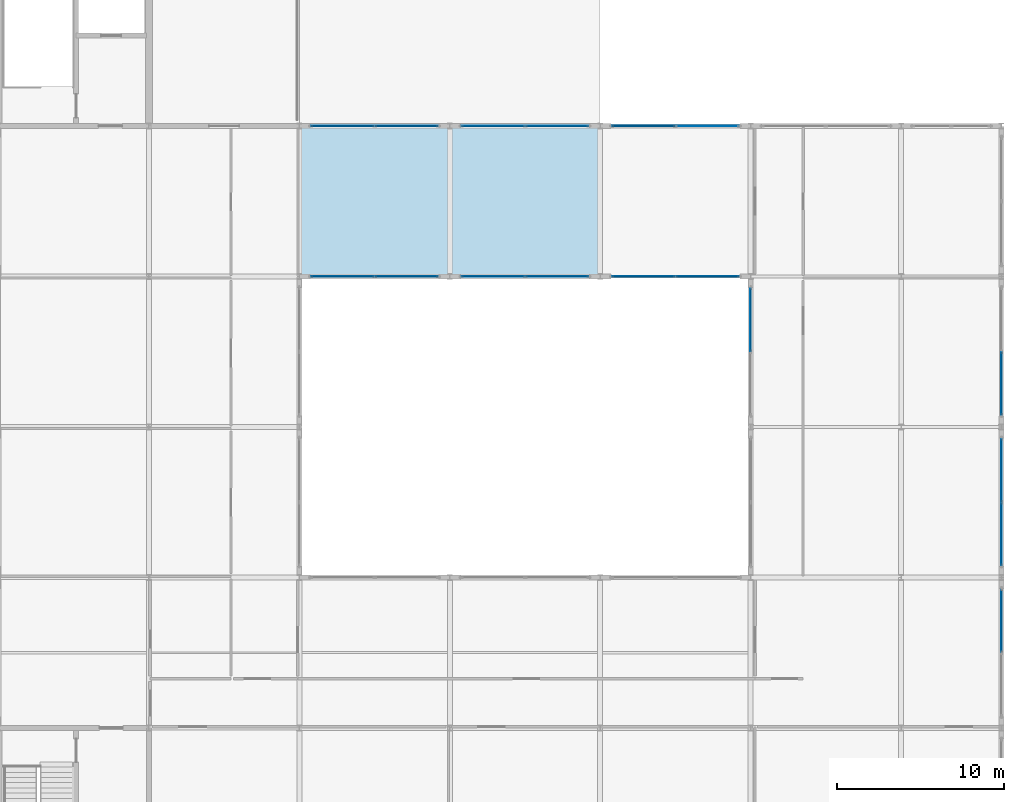
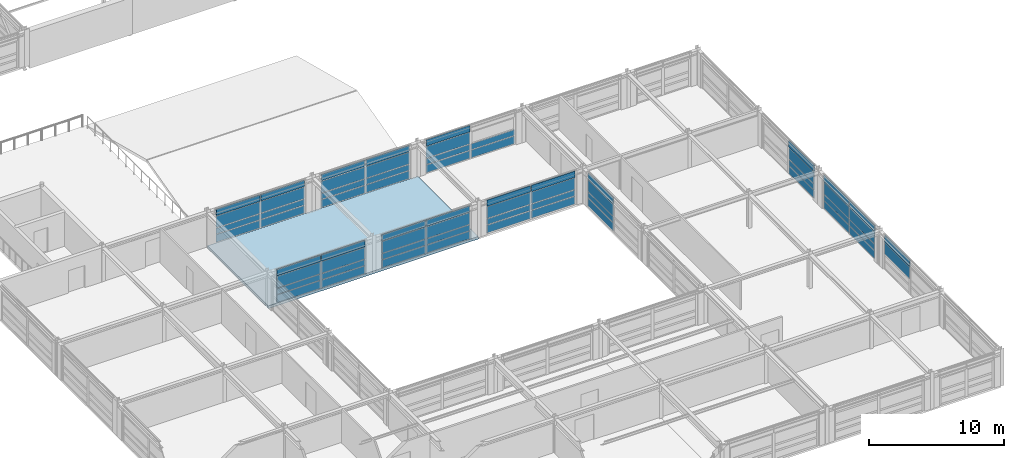
# One storey, part 68 of 91: 64 plates, 1 slab, 10 elements without a shape of their own.
"""IFC4 building model written with IfcOpenShell, lengths in metres."""

from ifc_helpers import new_model, si_unit, direction, frame, origin, origin_2d, place, context, subcontext, project, spatial, polyline, rectangle, outline, extrude, material, layer, layer_set, type_object, element, aggregate, save


model = new_model("IFC4")

# Units and contexts
model_context = context("Model", 3, precision=1e-05, world=origin(), true_north=direction((0.0, 1.0)))
body_context = subcontext(model_context, "Body", "Model", "MODEL_VIEW")
ifc_project = project(units=[si_unit("LENGTHUNIT", "METRE"), si_unit("AREAUNIT", "SQUARE_METRE"), si_unit("VOLUMEUNIT", "CUBIC_METRE"), si_unit("PLANEANGLEUNIT", "RADIAN"), si_unit("MASSUNIT", "GRAM", prefix="KILO")], contexts=[model_context])

# Site, building, storey
site_placement = place(None, origin())
site = spatial("IfcSite", under=ifc_project, at=site_placement, CompositionType="ELEMENT")
building_placement = place(site_placement, origin())
building = spatial("IfcBuilding", under=site, at=building_placement, Name="Palais des Congres Ocreval", CompositionType="ELEMENT")
storey_placement = place(building_placement, frame((0.0, 0.0, 8.159912109375)))
storey = spatial("IfcBuildingStorey", under=building, at=storey_placement, Name="L02", CompositionType="ELEMENT", Elevation=8.159912109375)

# Curtain wall, plates
ifc_material_1 = material(Name="Anodized bronze aluminium and low-E glass", Category="glass")
curtain_wall_type = type_object("IfcCurtainWallType", Name="Unitised Curtain Wall 7900x3120", PredefinedType="USERDEFINED", material=ifc_material_1)
curtain_wall_1_placement = place(storey_placement, origin())
curtain_wall_1 = element("IfcCurtainWall", 1, at=curtain_wall_1_placement, inside=storey, type_object=curtain_wall_type, Name="Unitised Curtain Wall CW03 L02", ObjectType="UNITISED CURTAIN WALL", PredefinedType="USERDEFINED")
ifc_material_2 = material(Name="Acoustic triple glazing", Category="glass")
ifc_layer_1 = layer(ifc_material_2, 0.0439453125)
ifc_layer_set_1 = layer_set([ifc_layer_1], Name="Acoustic Laminated Glazing Panel 44 (Acoustic triple glazing)")
plate_type_1 = type_object("IfcPlateType", Name="Acoustic Laminated Glazing Panel 44", PredefinedType="CURTAIN_PANEL", material=ifc_layer_set_1)
plate_1_placement = place(storey_placement, frame((137.59375, 45.0, 0.06005859375), z_axis=(0.0, 0.0, 1.0), x_axis=(1.0, 0.0, 0.0)))
plate_1 = element("IfcPlate", 2, at=plate_1_placement, type_object=plate_type_1, Name="Vision Glazing Panel VP02", PredefinedType="CURTAIN_PANEL", context=body_context, shape_type="SweptSolid", body=[
    extrude(rectangle(XDim=3.737548828125, YDim=0.0439453125, at=origin_2d()), origin(), (0.0, 0.0, 1.0), 0.68994140625),
])
plate_2_placement = place(storey_placement, frame((137.59375, 45.0, 0.81005859375), z_axis=(0.0, 0.0, 1.0), x_axis=(1.0, 0.0, 0.0)))
plate_2 = element("IfcPlate", 3, at=plate_2_placement, type_object=plate_type_1, Name="Vision Glazing Panel VP02", PredefinedType="CURTAIN_PANEL", context=body_context, shape_type="SweptSolid", body=[
    extrude(rectangle(XDim=3.737548828125, YDim=0.0439453125, at=origin_2d()), origin(), (0.0, 0.0, 1.0), 0.512939453125),
])
plate_3_placement = place(storey_placement, frame((137.59375, 45.0, 1.3828125), z_axis=(0.0, 0.0, 1.0), x_axis=(1.0, 0.0, 0.0)))
plate_3 = element("IfcPlate", 4, at=plate_3_placement, type_object=plate_type_1, Name="Vision Glazing Panel VP02", PredefinedType="CURTAIN_PANEL", context=body_context, shape_type="SweptSolid", body=[
    extrude(rectangle(XDim=3.737548828125, YDim=0.0439453125, at=origin_2d()), origin(), (0.0, 0.0, 1.0), 1.047119140625),
])
plate_4_placement = place(storey_placement, frame((141.40625, 45.0, 0.06005859375), z_axis=(0.0, 0.0, 1.0), x_axis=(1.0, 0.0, 0.0)))
plate_4 = element("IfcPlate", 5, at=plate_4_placement, type_object=plate_type_1, Name="Vision Glazing Panel VP02", PredefinedType="CURTAIN_PANEL", context=body_context, shape_type="SweptSolid", body=[
    extrude(rectangle(XDim=3.737548828125, YDim=0.0439453125, at=origin_2d()), origin(), (0.0, 0.0, 1.0), 0.68994140625),
])
plate_5_placement = place(storey_placement, frame((141.40625, 45.0, 0.81005859375), z_axis=(0.0, 0.0, 1.0), x_axis=(1.0, 0.0, 0.0)))
plate_5 = element("IfcPlate", 6, at=plate_5_placement, type_object=plate_type_1, Name="Vision Glazing Panel VP02", PredefinedType="CURTAIN_PANEL", context=body_context, shape_type="SweptSolid", body=[
    extrude(rectangle(XDim=3.737548828125, YDim=0.0439453125, at=origin_2d()), origin(), (0.0, 0.0, 1.0), 0.512939453125),
])
plate_6_placement = place(storey_placement, frame((141.40625, 45.0, 1.3828125), z_axis=(0.0, 0.0, 1.0), x_axis=(1.0, 0.0, 0.0)))
plate_6 = element("IfcPlate", 7, at=plate_6_placement, type_object=plate_type_1, Name="Vision Glazing Panel VP02", PredefinedType="CURTAIN_PANEL", context=body_context, shape_type="SweptSolid", body=[
    extrude(rectangle(XDim=3.737548828125, YDim=0.0439453125, at=origin_2d()), origin(), (0.0, 0.0, 1.0), 1.047119140625),
])

curtain_wall_2_placement = place(storey_placement, origin())
curtain_wall_2 = element("IfcCurtainWall", 8, at=curtain_wall_2_placement, inside=storey, type_object=curtain_wall_type, Name="Unitised Curtain Wall CW03 L02", ObjectType="UNITISED CURTAIN WALL", PredefinedType="USERDEFINED")
plate_7_placement = place(storey_placement, frame((168.0, 24.40625, 0.06005859375), z_axis=(0.0, 0.0, 1.0), x_axis=(0.0, -1.0, 0.0)))
plate_7 = element("IfcPlate", 9, at=plate_7_placement, type_object=plate_type_1, Name="Vision Glazing Panel VP02", PredefinedType="CURTAIN_PANEL", context=body_context, shape_type="SweptSolid", body=[
    extrude(rectangle(XDim=3.737548828125, YDim=0.0439453125, at=origin_2d()), origin(), (0.0, 0.0, 1.0), 0.68994140625),
])
plate_8_placement = place(storey_placement, frame((168.0, 24.40625, 0.81005859375), z_axis=(0.0, 0.0, 1.0), x_axis=(0.0, -1.0, 0.0)))
plate_8 = element("IfcPlate", 10, at=plate_8_placement, type_object=plate_type_1, Name="Vision Glazing Panel VP02", PredefinedType="CURTAIN_PANEL", context=body_context, shape_type="SweptSolid", body=[
    extrude(rectangle(XDim=3.737548828125, YDim=0.0439453125, at=origin_2d()), origin(), (0.0, 0.0, 1.0), 0.512939453125),
])
plate_9_placement = place(storey_placement, frame((168.0, 24.40625, 1.3828125), z_axis=(0.0, 0.0, 1.0), x_axis=(0.0, -1.0, 0.0)))
plate_9 = element("IfcPlate", 11, at=plate_9_placement, type_object=plate_type_1, Name="Vision Glazing Panel VP02", PredefinedType="CURTAIN_PANEL", context=body_context, shape_type="SweptSolid", body=[
    extrude(rectangle(XDim=3.737548828125, YDim=0.0439453125, at=origin_2d()), origin(), (0.0, 0.0, 1.0), 1.047119140625),
])
plate_10_placement = place(storey_placement, frame((168.0, 20.59375, 0.06005859375), z_axis=(0.0, 0.0, 1.0), x_axis=(0.0, -1.0, 0.0)))
plate_10 = element("IfcPlate", 12, at=plate_10_placement, type_object=plate_type_1, Name="Vision Glazing Panel VP02", PredefinedType="CURTAIN_PANEL", context=body_context, shape_type="SweptSolid", body=[
    extrude(rectangle(XDim=3.737548828125, YDim=0.0439453125, at=origin_2d()), origin(), (0.0, 0.0, 1.0), 0.68994140625),
])
plate_11_placement = place(storey_placement, frame((168.0, 20.59375, 0.81005859375), z_axis=(0.0, 0.0, 1.0), x_axis=(0.0, -1.0, 0.0)))
plate_11 = element("IfcPlate", 13, at=plate_11_placement, type_object=plate_type_1, Name="Vision Glazing Panel VP02", PredefinedType="CURTAIN_PANEL", context=body_context, shape_type="SweptSolid", body=[
    extrude(rectangle(XDim=3.737548828125, YDim=0.0439453125, at=origin_2d()), origin(), (0.0, 0.0, 1.0), 0.512939453125),
])
plate_12_placement = place(storey_placement, frame((168.0, 20.59375, 1.3828125), z_axis=(0.0, 0.0, 1.0), x_axis=(0.0, -1.0, 0.0)))
plate_12 = element("IfcPlate", 14, at=plate_12_placement, type_object=plate_type_1, Name="Vision Glazing Panel VP02", PredefinedType="CURTAIN_PANEL", context=body_context, shape_type="SweptSolid", body=[
    extrude(rectangle(XDim=3.737548828125, YDim=0.0439453125, at=origin_2d()), origin(), (0.0, 0.0, 1.0), 1.047119140625),
])

curtain_wall_3_placement = place(storey_placement, origin())
curtain_wall_3 = element("IfcCurtainWall", 15, at=curtain_wall_3_placement, inside=storey, type_object=curtain_wall_type, Name="Unitised Curtain Wall CW03 L02", ObjectType="UNITISED CURTAIN WALL", PredefinedType="USERDEFINED")
plate_13_placement = place(storey_placement, frame((132.40625, 36.0, 0.06005859375), z_axis=(0.0, 0.0, 1.0), x_axis=(-1.0, 0.0, 0.0)))
plate_13 = element("IfcPlate", 16, at=plate_13_placement, type_object=plate_type_1, Name="Vision Glazing Panel VP02", PredefinedType="CURTAIN_PANEL", context=body_context, shape_type="SweptSolid", body=[
    extrude(rectangle(XDim=3.737548828125, YDim=0.0439453125, at=origin_2d()), origin(), (0.0, 0.0, 1.0), 0.68994140625),
])
plate_14_placement = place(storey_placement, frame((132.40625, 36.0, 0.81005859375), z_axis=(0.0, 0.0, 1.0), x_axis=(-1.0, 0.0, 0.0)))
plate_14 = element("IfcPlate", 17, at=plate_14_placement, type_object=plate_type_1, Name="Vision Glazing Panel VP02", PredefinedType="CURTAIN_PANEL", context=body_context, shape_type="SweptSolid", body=[
    extrude(rectangle(XDim=3.737548828125, YDim=0.0439453125, at=origin_2d()), origin(), (0.0, 0.0, 1.0), 0.512939453125),
])
plate_15_placement = place(storey_placement, frame((132.40625, 36.0, 1.3828125), z_axis=(0.0, 0.0, 1.0), x_axis=(-1.0, 0.0, 0.0)))
plate_15 = element("IfcPlate", 18, at=plate_15_placement, type_object=plate_type_1, Name="Vision Glazing Panel VP02", PredefinedType="CURTAIN_PANEL", context=body_context, shape_type="SweptSolid", body=[
    extrude(rectangle(XDim=3.737548828125, YDim=0.0439453125, at=origin_2d()), origin(), (0.0, 0.0, 1.0), 1.047119140625),
])
plate_16_placement = place(storey_placement, frame((128.59375, 36.0, 0.06005859375), z_axis=(0.0, 0.0, 1.0), x_axis=(-1.0, 0.0, 0.0)))
plate_16 = element("IfcPlate", 19, at=plate_16_placement, type_object=plate_type_1, Name="Vision Glazing Panel VP02", PredefinedType="CURTAIN_PANEL", context=body_context, shape_type="SweptSolid", body=[
    extrude(rectangle(XDim=3.737548828125, YDim=0.0439453125, at=origin_2d()), origin(), (0.0, 0.0, 1.0), 0.68994140625),
])
plate_17_placement = place(storey_placement, frame((128.59375, 36.0, 0.81005859375), z_axis=(0.0, 0.0, 1.0), x_axis=(-1.0, 0.0, 0.0)))
plate_17 = element("IfcPlate", 20, at=plate_17_placement, type_object=plate_type_1, Name="Vision Glazing Panel VP02", PredefinedType="CURTAIN_PANEL", context=body_context, shape_type="SweptSolid", body=[
    extrude(rectangle(XDim=3.737548828125, YDim=0.0439453125, at=origin_2d()), origin(), (0.0, 0.0, 1.0), 0.512939453125),
])
plate_18_placement = place(storey_placement, frame((128.59375, 36.0, 1.3828125), z_axis=(0.0, 0.0, 1.0), x_axis=(-1.0, 0.0, 0.0)))
plate_18 = element("IfcPlate", 21, at=plate_18_placement, type_object=plate_type_1, Name="Vision Glazing Panel VP02", PredefinedType="CURTAIN_PANEL", context=body_context, shape_type="SweptSolid", body=[
    extrude(rectangle(XDim=3.737548828125, YDim=0.0439453125, at=origin_2d()), origin(), (0.0, 0.0, 1.0), 1.047119140625),
])

# Plate
ifc_material_3 = material(Name="Anodized bronze aluminium", Category="aluminium")
ifc_layer_2 = layer(ifc_material_3, 0.06005859375)
ifc_layer_set_2 = layer_set([ifc_layer_2], Name="Anodized Bronze Spandrel Cassette 60 (Anodized bronze aluminium)")
plate_type_2 = type_object("IfcPlateType", Name="Anodized Bronze Spandrel Cassette 60", PredefinedType="SHEET", material=ifc_layer_set_2)
plate_19_placement = place(storey_placement, frame((137.59375, 45.0, 2.489990234375), z_axis=(0.0, 0.0, 1.0), x_axis=(1.0, 0.0, 0.0)))
plate_19 = element("IfcPlate", 22, at=plate_19_placement, type_object=plate_type_2, Name="Spandrel Sheet SPN1", PredefinedType="SHEET", context=body_context, shape_type="SweptSolid", body=[
    extrude(rectangle(XDim=3.737548828125, YDim=0.06005859375, at=origin_2d()), origin(), (0.0, 0.0, 1.0), 0.56005859375),
])

plate_20_placement = place(storey_placement, frame((141.40625, 45.0, 2.489990234375), z_axis=(0.0, 0.0, 1.0), x_axis=(1.0, 0.0, 0.0)))
plate_20 = element("IfcPlate", 23, at=plate_20_placement, type_object=plate_type_2, Name="Spandrel Sheet SPN1", PredefinedType="SHEET", context=body_context, shape_type="SweptSolid", body=[
    extrude(rectangle(XDim=3.737548828125, YDim=0.06005859375, at=origin_2d()), origin(), (0.0, 0.0, 1.0), 0.56005859375),
])

aggregate(curtain_wall_1, [plate_1, plate_2, plate_3, plate_19, plate_4, plate_5, plate_6, plate_20])

plate_21_placement = place(storey_placement, frame((168.0, 24.40625, 2.489990234375), z_axis=(0.0, 0.0, 1.0), x_axis=(0.0, -1.0, 0.0)))
plate_21 = element("IfcPlate", 24, at=plate_21_placement, type_object=plate_type_2, Name="Spandrel Sheet SPN1", PredefinedType="SHEET", context=body_context, shape_type="SweptSolid", body=[
    extrude(rectangle(XDim=3.737548828125, YDim=0.06005859375, at=origin_2d()), origin(), (0.0, 0.0, 1.0), 0.56005859375),
])

plate_22_placement = place(storey_placement, frame((168.0, 20.59375, 2.489990234375), z_axis=(0.0, 0.0, 1.0), x_axis=(0.0, -1.0, 0.0)))
plate_22 = element("IfcPlate", 25, at=plate_22_placement, type_object=plate_type_2, Name="Spandrel Sheet SPN1", PredefinedType="SHEET", context=body_context, shape_type="SweptSolid", body=[
    extrude(rectangle(XDim=3.737548828125, YDim=0.06005859375, at=origin_2d()), origin(), (0.0, 0.0, 1.0), 0.56005859375),
])

aggregate(curtain_wall_2, [plate_7, plate_8, plate_9, plate_21, plate_10, plate_11, plate_12, plate_22])

# Curtain wall, plates
curtain_wall_4_placement = place(storey_placement, origin())
curtain_wall_4 = element("IfcCurtainWall", 26, at=curtain_wall_4_placement, inside=storey, type_object=curtain_wall_type, Name="Unitised Curtain Wall CW03 L02", ObjectType="UNITISED CURTAIN WALL", PredefinedType="USERDEFINED")
plate_23_placement = place(storey_placement, frame((141.40625, 36.0, 2.489990234375), z_axis=(0.0, 0.0, 1.0), x_axis=(-1.0, 0.0, 0.0)))
plate_23 = element("IfcPlate", 27, at=plate_23_placement, type_object=plate_type_2, Name="Spandrel Sheet SPN1", PredefinedType="SHEET", context=body_context, shape_type="SweptSolid", body=[
    extrude(rectangle(XDim=3.737548828125, YDim=0.06005859375, at=origin_2d()), origin(), (0.0, 0.0, 1.0), 0.56005859375),
])
plate_24_placement = place(storey_placement, frame((137.59375, 36.0, 2.489990234375), z_axis=(0.0, 0.0, 1.0), x_axis=(-1.0, 0.0, 0.0)))
plate_24 = element("IfcPlate", 28, at=plate_24_placement, type_object=plate_type_2, Name="Spandrel Sheet SPN1", PredefinedType="SHEET", context=body_context, shape_type="SweptSolid", body=[
    extrude(rectangle(XDim=3.737548828125, YDim=0.06005859375, at=origin_2d()), origin(), (0.0, 0.0, 1.0), 0.56005859375),
])

# Curtain wall, plate
curtain_wall_5_placement = place(storey_placement, origin())
curtain_wall_5 = element("IfcCurtainWall", 29, at=curtain_wall_5_placement, inside=storey, type_object=curtain_wall_type, Name="Unitised Curtain Wall CW03 L02", ObjectType="UNITISED CURTAIN WALL", PredefinedType="USERDEFINED")
plate_25_placement = place(storey_placement, frame((153.0, 33.40625, 2.489990234375), z_axis=(0.0, 0.0, 1.0), x_axis=(0.0, 1.0, 0.0)))
plate_25 = element("IfcPlate", 30, at=plate_25_placement, type_object=plate_type_2, Name="Spandrel Sheet SPN1", PredefinedType="SHEET", context=body_context, shape_type="SweptSolid", body=[
    extrude(rectangle(XDim=3.737548828125, YDim=0.06005859375, at=origin_2d()), origin(), (0.0, 0.0, 1.0), 0.56005859375),
])

# Curtain wall, plates
curtain_wall_6_placement = place(storey_placement, origin())
curtain_wall_6 = element("IfcCurtainWall", 31, at=curtain_wall_6_placement, inside=storey, type_object=curtain_wall_type, Name="Unitised Curtain Wall CW03 L02", ObjectType="UNITISED CURTAIN WALL", PredefinedType="USERDEFINED")
ifc_material_4 = material(Name="Low-E solar-control double glazing", Category="glass")
ifc_layer_3 = layer(ifc_material_4, 0.031982421875)
ifc_layer_set_3 = layer_set([ifc_layer_3], Name="Galleria Clear Vision Panel 32 (Low-E solar-control double glazing)")
plate_type_3 = type_object("IfcPlateType", Name="Galleria Clear Vision Panel 32", PredefinedType="CURTAIN_PANEL", material=ifc_layer_set_3)
plate_26_placement = place(storey_placement, frame((146.59375, 45.0, 0.06005859375), z_axis=(0.0, 0.0, 1.0), x_axis=(1.0, 0.0, 0.0)))
plate_26 = element("IfcPlate", 32, at=plate_26_placement, type_object=plate_type_3, Name="Vision Glazing Panel VP03", PredefinedType="CURTAIN_PANEL", context=body_context, shape_type="SweptSolid", body=[
    extrude(rectangle(XDim=3.737548828125, YDim=0.031982421875, at=origin_2d()), origin(), (0.0, 0.0, 1.0), 0.68994140625),
])
plate_27_placement = place(storey_placement, frame((146.59375, 45.0, 0.81005859375), z_axis=(0.0, 0.0, 1.0), x_axis=(1.0, 0.0, 0.0)))
plate_27 = element("IfcPlate", 33, at=plate_27_placement, type_object=plate_type_3, Name="Vision Glazing Panel VP03", PredefinedType="CURTAIN_PANEL", context=body_context, shape_type="SweptSolid", body=[
    extrude(rectangle(XDim=3.737548828125, YDim=0.031982421875, at=origin_2d()), origin(), (0.0, 0.0, 1.0), 0.512939453125),
])
plate_28_placement = place(storey_placement, frame((146.59375, 45.0, 1.3828125), z_axis=(0.0, 0.0, 1.0), x_axis=(1.0, 0.0, 0.0)))
plate_28 = element("IfcPlate", 34, at=plate_28_placement, type_object=plate_type_3, Name="Vision Glazing Panel VP03", PredefinedType="CURTAIN_PANEL", context=body_context, shape_type="SweptSolid", body=[
    extrude(rectangle(XDim=3.737548828125, YDim=0.031982421875, at=origin_2d()), origin(), (0.0, 0.0, 1.0), 1.047119140625),
])
plate_29_placement = place(storey_placement, frame((150.40625, 45.0, 0.06005859375), z_axis=(0.0, 0.0, 1.0), x_axis=(1.0, 0.0, 0.0)))
plate_29 = element("IfcPlate", 35, at=plate_29_placement, type_object=plate_type_3, Name="Vision Glazing Panel VP03", PredefinedType="CURTAIN_PANEL", context=body_context, shape_type="SweptSolid", body=[
    extrude(rectangle(XDim=3.737548828125, YDim=0.031982421875, at=origin_2d()), origin(), (0.0, 0.0, 1.0), 0.68994140625),
])
plate_30_placement = place(storey_placement, frame((150.40625, 45.0, 0.81005859375), z_axis=(0.0, 0.0, 1.0), x_axis=(1.0, 0.0, 0.0)))
plate_30 = element("IfcPlate", 36, at=plate_30_placement, type_object=plate_type_3, Name="Vision Glazing Panel VP03", PredefinedType="CURTAIN_PANEL", context=body_context, shape_type="SweptSolid", body=[
    extrude(rectangle(XDim=3.737548828125, YDim=0.031982421875, at=origin_2d()), origin(), (0.0, 0.0, 1.0), 0.512939453125),
])

# Curtain wall, plate
curtain_wall_7_placement = place(storey_placement, origin())
curtain_wall_7 = element("IfcCurtainWall", 37, at=curtain_wall_7_placement, inside=storey, type_object=curtain_wall_type, Name="Unitised Curtain Wall CW03 L02", ObjectType="UNITISED CURTAIN WALL", PredefinedType="USERDEFINED")
plate_31_placement = place(storey_placement, frame((168.0, 15.40625, 1.3828125), z_axis=(0.0, 0.0, 1.0), x_axis=(0.0, -1.0, 0.0)))
plate_31 = element("IfcPlate", 38, at=plate_31_placement, type_object=plate_type_3, Name="Vision Glazing Panel VP03", PredefinedType="CURTAIN_PANEL", context=body_context, shape_type="SweptSolid", body=[
    extrude(rectangle(XDim=3.737548828125, YDim=0.031982421875, at=origin_2d()), origin(), (0.0, 0.0, 1.0), 1.047119140625),
])

# Curtain wall, plates
curtain_wall_8_placement = place(storey_placement, origin())
curtain_wall_8 = element("IfcCurtainWall", 39, at=curtain_wall_8_placement, inside=storey, type_object=curtain_wall_type, Name="Unitised Curtain Wall CW03 L02", ObjectType="UNITISED CURTAIN WALL", PredefinedType="USERDEFINED")
plate_32_placement = place(storey_placement, frame((150.40625, 36.0, 0.06005859375), z_axis=(0.0, 0.0, 1.0), x_axis=(-1.0, 0.0, 0.0)))
plate_32 = element("IfcPlate", 40, at=plate_32_placement, type_object=plate_type_3, Name="Vision Glazing Panel VP03", PredefinedType="CURTAIN_PANEL", context=body_context, shape_type="SweptSolid", body=[
    extrude(rectangle(XDim=3.737548828125, YDim=0.031982421875, at=origin_2d()), origin(), (0.0, 0.0, 1.0), 0.68994140625),
])
plate_33_placement = place(storey_placement, frame((150.40625, 36.0, 0.81005859375), z_axis=(0.0, 0.0, 1.0), x_axis=(-1.0, 0.0, 0.0)))
plate_33 = element("IfcPlate", 41, at=plate_33_placement, type_object=plate_type_3, Name="Vision Glazing Panel VP03", PredefinedType="CURTAIN_PANEL", context=body_context, shape_type="SweptSolid", body=[
    extrude(rectangle(XDim=3.737548828125, YDim=0.031982421875, at=origin_2d()), origin(), (0.0, 0.0, 1.0), 0.512939453125),
])
plate_34_placement = place(storey_placement, frame((150.40625, 36.0, 1.3828125), z_axis=(0.0, 0.0, 1.0), x_axis=(-1.0, 0.0, 0.0)))
plate_34 = element("IfcPlate", 42, at=plate_34_placement, type_object=plate_type_3, Name="Vision Glazing Panel VP03", PredefinedType="CURTAIN_PANEL", context=body_context, shape_type="SweptSolid", body=[
    extrude(rectangle(XDim=3.737548828125, YDim=0.031982421875, at=origin_2d()), origin(), (0.0, 0.0, 1.0), 1.047119140625),
])
plate_35_placement = place(storey_placement, frame((146.59375, 36.0, 0.06005859375), z_axis=(0.0, 0.0, 1.0), x_axis=(-1.0, 0.0, 0.0)))
plate_35 = element("IfcPlate", 43, at=plate_35_placement, type_object=plate_type_3, Name="Vision Glazing Panel VP03", PredefinedType="CURTAIN_PANEL", context=body_context, shape_type="SweptSolid", body=[
    extrude(rectangle(XDim=3.737548828125, YDim=0.031982421875, at=origin_2d()), origin(), (0.0, 0.0, 1.0), 0.68994140625),
])
plate_36_placement = place(storey_placement, frame((146.59375, 36.0, 0.81005859375), z_axis=(0.0, 0.0, 1.0), x_axis=(-1.0, 0.0, 0.0)))
plate_36 = element("IfcPlate", 44, at=plate_36_placement, type_object=plate_type_3, Name="Vision Glazing Panel VP03", PredefinedType="CURTAIN_PANEL", context=body_context, shape_type="SweptSolid", body=[
    extrude(rectangle(XDim=3.737548828125, YDim=0.031982421875, at=origin_2d()), origin(), (0.0, 0.0, 1.0), 0.512939453125),
])
plate_37_placement = place(storey_placement, frame((146.59375, 36.0, 1.3828125), z_axis=(0.0, 0.0, 1.0), x_axis=(-1.0, 0.0, 0.0)))
plate_37 = element("IfcPlate", 45, at=plate_37_placement, type_object=plate_type_3, Name="Vision Glazing Panel VP03", PredefinedType="CURTAIN_PANEL", context=body_context, shape_type="SweptSolid", body=[
    extrude(rectangle(XDim=3.737548828125, YDim=0.031982421875, at=origin_2d()), origin(), (0.0, 0.0, 1.0), 1.047119140625),
])

# Plate
plate_38_placement = place(storey_placement, frame((153.0, 33.40625, 0.06005859375), z_axis=(0.0, 0.0, 1.0), x_axis=(0.0, 1.0, 0.0)))
plate_38 = element("IfcPlate", 46, at=plate_38_placement, type_object=plate_type_3, Name="Vision Glazing Panel VP03", PredefinedType="CURTAIN_PANEL", context=body_context, shape_type="SweptSolid", body=[
    extrude(rectangle(XDim=3.737548828125, YDim=0.031982421875, at=origin_2d()), origin(), (0.0, 0.0, 1.0), 0.68994140625),
])

plate_39_placement = place(storey_placement, frame((153.0, 33.40625, 0.81005859375), z_axis=(0.0, 0.0, 1.0), x_axis=(0.0, 1.0, 0.0)))
plate_39 = element("IfcPlate", 47, at=plate_39_placement, type_object=plate_type_3, Name="Vision Glazing Panel VP03", PredefinedType="CURTAIN_PANEL", context=body_context, shape_type="SweptSolid", body=[
    extrude(rectangle(XDim=3.737548828125, YDim=0.031982421875, at=origin_2d()), origin(), (0.0, 0.0, 1.0), 0.512939453125),
])

plate_40_placement = place(storey_placement, frame((153.0, 33.40625, 1.3828125), z_axis=(0.0, 0.0, 1.0), x_axis=(0.0, 1.0, 0.0)))
plate_40 = element("IfcPlate", 48, at=plate_40_placement, type_object=plate_type_3, Name="Vision Glazing Panel VP03", PredefinedType="CURTAIN_PANEL", context=body_context, shape_type="SweptSolid", body=[
    extrude(rectangle(XDim=3.737548828125, YDim=0.031982421875, at=origin_2d()), origin(), (0.0, 0.0, 1.0), 1.047119140625),
])

aggregate(curtain_wall_5, [plate_38, plate_39, plate_40, plate_25])

# Curtain wall, plates
curtain_wall_9_placement = place(storey_placement, origin())
curtain_wall_9 = element("IfcCurtainWall", 49, at=curtain_wall_9_placement, inside=storey, type_object=curtain_wall_type, Name="Unitised Curtain Wall CW03 L02", ObjectType="UNITISED CURTAIN WALL", PredefinedType="USERDEFINED")
ifc_layer_4 = layer(ifc_material_4, 0.035888671875)
ifc_layer_set_4 = layer_set([ifc_layer_4], Name="Low-E Vision Glazing Panel 36 (Low-E solar-control double glazing)")
plate_type_4 = type_object("IfcPlateType", Name="Low-E Vision Glazing Panel 36", PredefinedType="CURTAIN_PANEL", material=ifc_layer_set_4)
plate_41_placement = place(storey_placement, frame((128.59375, 45.0, 0.06005859375), z_axis=(0.0, 0.0, 1.0), x_axis=(1.0, 0.0, 0.0)))
plate_41 = element("IfcPlate", 50, at=plate_41_placement, type_object=plate_type_4, Name="Vision Glazing Panel VP01", PredefinedType="CURTAIN_PANEL", context=body_context, shape_type="SweptSolid", body=[
    extrude(rectangle(XDim=3.737548828125, YDim=0.035888671875, at=origin_2d()), origin(), (0.0, 0.0, 1.0), 0.68994140625),
])
plate_42_placement = place(storey_placement, frame((128.59375, 45.0, 0.81005859375), z_axis=(0.0, 0.0, 1.0), x_axis=(1.0, 0.0, 0.0)))
plate_42 = element("IfcPlate", 51, at=plate_42_placement, type_object=plate_type_4, Name="Vision Glazing Panel VP01", PredefinedType="CURTAIN_PANEL", context=body_context, shape_type="SweptSolid", body=[
    extrude(rectangle(XDim=3.737548828125, YDim=0.035888671875, at=origin_2d()), origin(), (0.0, 0.0, 1.0), 0.512939453125),
])
plate_43_placement = place(storey_placement, frame((128.59375, 45.0, 1.3828125), z_axis=(0.0, 0.0, 1.0), x_axis=(1.0, 0.0, 0.0)))
plate_43 = element("IfcPlate", 52, at=plate_43_placement, type_object=plate_type_4, Name="Vision Glazing Panel VP01", PredefinedType="CURTAIN_PANEL", context=body_context, shape_type="SweptSolid", body=[
    extrude(rectangle(XDim=3.737548828125, YDim=0.035888671875, at=origin_2d()), origin(), (0.0, 0.0, 1.0), 1.047119140625),
])
plate_44_placement = place(storey_placement, frame((132.40625, 45.0, 0.06005859375), z_axis=(0.0, 0.0, 1.0), x_axis=(1.0, 0.0, 0.0)))
plate_44 = element("IfcPlate", 53, at=plate_44_placement, type_object=plate_type_4, Name="Vision Glazing Panel VP01", PredefinedType="CURTAIN_PANEL", context=body_context, shape_type="SweptSolid", body=[
    extrude(rectangle(XDim=3.737548828125, YDim=0.035888671875, at=origin_2d()), origin(), (0.0, 0.0, 1.0), 0.68994140625),
])
plate_45_placement = place(storey_placement, frame((132.40625, 45.0, 0.81005859375), z_axis=(0.0, 0.0, 1.0), x_axis=(1.0, 0.0, 0.0)))
plate_45 = element("IfcPlate", 54, at=plate_45_placement, type_object=plate_type_4, Name="Vision Glazing Panel VP01", PredefinedType="CURTAIN_PANEL", context=body_context, shape_type="SweptSolid", body=[
    extrude(rectangle(XDim=3.737548828125, YDim=0.035888671875, at=origin_2d()), origin(), (0.0, 0.0, 1.0), 0.512939453125),
])
plate_46_placement = place(storey_placement, frame((132.40625, 45.0, 1.3828125), z_axis=(0.0, 0.0, 1.0), x_axis=(1.0, 0.0, 0.0)))
plate_46 = element("IfcPlate", 55, at=plate_46_placement, type_object=plate_type_4, Name="Vision Glazing Panel VP01", PredefinedType="CURTAIN_PANEL", context=body_context, shape_type="SweptSolid", body=[
    extrude(rectangle(XDim=3.737548828125, YDim=0.035888671875, at=origin_2d()), origin(), (0.0, 0.0, 1.0), 1.047119140625),
])

curtain_wall_10_placement = place(storey_placement, origin())
curtain_wall_10 = element("IfcCurtainWall", 56, at=curtain_wall_10_placement, inside=storey, type_object=curtain_wall_type, Name="Unitised Curtain Wall CW03 L02", ObjectType="UNITISED CURTAIN WALL", PredefinedType="USERDEFINED")
plate_47_placement = place(storey_placement, frame((168.0, 29.59375, 0.06005859375), z_axis=(0.0, 0.0, 1.0), x_axis=(0.0, -1.0, 0.0)))
plate_47 = element("IfcPlate", 57, at=plate_47_placement, type_object=plate_type_4, Name="Vision Glazing Panel VP01", PredefinedType="CURTAIN_PANEL", context=body_context, shape_type="SweptSolid", body=[
    extrude(rectangle(XDim=3.737548828125, YDim=0.035888671875, at=origin_2d()), origin(), (0.0, 0.0, 1.0), 0.68994140625),
])
plate_48_placement = place(storey_placement, frame((168.0, 29.59375, 0.81005859375), z_axis=(0.0, 0.0, 1.0), x_axis=(0.0, -1.0, 0.0)))
plate_48 = element("IfcPlate", 58, at=plate_48_placement, type_object=plate_type_4, Name="Vision Glazing Panel VP01", PredefinedType="CURTAIN_PANEL", context=body_context, shape_type="SweptSolid", body=[
    extrude(rectangle(XDim=3.737548828125, YDim=0.035888671875, at=origin_2d()), origin(), (0.0, 0.0, 1.0), 0.512939453125),
])
plate_49_placement = place(storey_placement, frame((168.0, 29.59375, 1.3828125), z_axis=(0.0, 0.0, 1.0), x_axis=(0.0, -1.0, 0.0)))
plate_49 = element("IfcPlate", 59, at=plate_49_placement, type_object=plate_type_4, Name="Vision Glazing Panel VP01", PredefinedType="CURTAIN_PANEL", context=body_context, shape_type="SweptSolid", body=[
    extrude(rectangle(XDim=3.737548828125, YDim=0.035888671875, at=origin_2d()), origin(), (0.0, 0.0, 1.0), 1.047119140625),
])

# Plate
plate_50_placement = place(storey_placement, frame((141.40625, 36.0, 0.06005859375), z_axis=(0.0, 0.0, 1.0), x_axis=(-1.0, 0.0, 0.0)))
plate_50 = element("IfcPlate", 60, at=plate_50_placement, type_object=plate_type_4, Name="Vision Glazing Panel VP01", PredefinedType="CURTAIN_PANEL", context=body_context, shape_type="SweptSolid", body=[
    extrude(rectangle(XDim=3.737548828125, YDim=0.035888671875, at=origin_2d()), origin(), (0.0, 0.0, 1.0), 0.68994140625),
])

plate_51_placement = place(storey_placement, frame((141.40625, 36.0, 0.81005859375), z_axis=(0.0, 0.0, 1.0), x_axis=(-1.0, 0.0, 0.0)))
plate_51 = element("IfcPlate", 61, at=plate_51_placement, type_object=plate_type_4, Name="Vision Glazing Panel VP01", PredefinedType="CURTAIN_PANEL", context=body_context, shape_type="SweptSolid", body=[
    extrude(rectangle(XDim=3.737548828125, YDim=0.035888671875, at=origin_2d()), origin(), (0.0, 0.0, 1.0), 0.512939453125),
])

plate_52_placement = place(storey_placement, frame((141.40625, 36.0, 1.3828125), z_axis=(0.0, 0.0, 1.0), x_axis=(-1.0, 0.0, 0.0)))
plate_52 = element("IfcPlate", 62, at=plate_52_placement, type_object=plate_type_4, Name="Vision Glazing Panel VP01", PredefinedType="CURTAIN_PANEL", context=body_context, shape_type="SweptSolid", body=[
    extrude(rectangle(XDim=3.737548828125, YDim=0.035888671875, at=origin_2d()), origin(), (0.0, 0.0, 1.0), 1.047119140625),
])

plate_53_placement = place(storey_placement, frame((137.59375, 36.0, 0.06005859375), z_axis=(0.0, 0.0, 1.0), x_axis=(-1.0, 0.0, 0.0)))
plate_53 = element("IfcPlate", 63, at=plate_53_placement, type_object=plate_type_4, Name="Vision Glazing Panel VP01", PredefinedType="CURTAIN_PANEL", context=body_context, shape_type="SweptSolid", body=[
    extrude(rectangle(XDim=3.737548828125, YDim=0.035888671875, at=origin_2d()), origin(), (0.0, 0.0, 1.0), 0.68994140625),
])

plate_54_placement = place(storey_placement, frame((137.59375, 36.0, 0.81005859375), z_axis=(0.0, 0.0, 1.0), x_axis=(-1.0, 0.0, 0.0)))
plate_54 = element("IfcPlate", 64, at=plate_54_placement, type_object=plate_type_4, Name="Vision Glazing Panel VP01", PredefinedType="CURTAIN_PANEL", context=body_context, shape_type="SweptSolid", body=[
    extrude(rectangle(XDim=3.737548828125, YDim=0.035888671875, at=origin_2d()), origin(), (0.0, 0.0, 1.0), 0.512939453125),
])

plate_55_placement = place(storey_placement, frame((137.59375, 36.0, 1.3828125), z_axis=(0.0, 0.0, 1.0), x_axis=(-1.0, 0.0, 0.0)))
plate_55 = element("IfcPlate", 65, at=plate_55_placement, type_object=plate_type_4, Name="Vision Glazing Panel VP01", PredefinedType="CURTAIN_PANEL", context=body_context, shape_type="SweptSolid", body=[
    extrude(rectangle(XDim=3.737548828125, YDim=0.035888671875, at=origin_2d()), origin(), (0.0, 0.0, 1.0), 1.047119140625),
])

aggregate(curtain_wall_4, [plate_50, plate_51, plate_52, plate_23, plate_53, plate_54, plate_55, plate_24])

ifc_material_5 = material(Name="Terracotta ceramic spandrel", Category="masonry")
ifc_layer_5 = layer(ifc_material_5, 0.080078125)
ifc_layer_set_5 = layer_set([ifc_layer_5], Name="Terracotta Insulated Spandrel Sheet 80 (Terracotta ceramic spandrel)")
plate_type_5 = type_object("IfcPlateType", Name="Terracotta Insulated Spandrel Sheet 80", PredefinedType="SHEET", material=ifc_layer_set_5)
plate_56_placement = place(storey_placement, frame((128.59375, 45.0, 2.489990234375), z_axis=(0.0, 0.0, 1.0), x_axis=(1.0, 0.0, 0.0)))
plate_56 = element("IfcPlate", 66, at=plate_56_placement, type_object=plate_type_5, Name="Spandrel Sheet SPN2", PredefinedType="SHEET", context=body_context, shape_type="SweptSolid", body=[
    extrude(rectangle(XDim=3.737548828125, YDim=0.080078125, at=origin_2d()), origin(), (0.0, 0.0, 1.0), 0.56005859375),
])

plate_57_placement = place(storey_placement, frame((132.40625, 45.0, 2.489990234375), z_axis=(0.0, 0.0, 1.0), x_axis=(1.0, 0.0, 0.0)))
plate_57 = element("IfcPlate", 67, at=plate_57_placement, type_object=plate_type_5, Name="Spandrel Sheet SPN2", PredefinedType="SHEET", context=body_context, shape_type="SweptSolid", body=[
    extrude(rectangle(XDim=3.737548828125, YDim=0.080078125, at=origin_2d()), origin(), (0.0, 0.0, 1.0), 0.56005859375),
])

aggregate(curtain_wall_9, [plate_41, plate_42, plate_43, plate_56, plate_44, plate_45, plate_46, plate_57])

plate_58_placement = place(storey_placement, frame((146.59375, 45.0, 2.489990234375), z_axis=(0.0, 0.0, 1.0), x_axis=(1.0, 0.0, 0.0)))
plate_58 = element("IfcPlate", 68, at=plate_58_placement, type_object=plate_type_5, Name="Spandrel Sheet SPN2", PredefinedType="SHEET", context=body_context, shape_type="SweptSolid", body=[
    extrude(rectangle(XDim=3.737548828125, YDim=0.080078125, at=origin_2d()), origin(), (0.0, 0.0, 1.0), 0.56005859375),
])

aggregate(curtain_wall_6, [plate_26, plate_27, plate_28, plate_58, plate_29, plate_30])

plate_59_placement = place(storey_placement, frame((168.0, 29.59375, 2.489990234375), z_axis=(0.0, 0.0, 1.0), x_axis=(0.0, -1.0, 0.0)))
plate_59 = element("IfcPlate", 69, at=plate_59_placement, type_object=plate_type_5, Name="Spandrel Sheet SPN2", PredefinedType="SHEET", context=body_context, shape_type="SweptSolid", body=[
    extrude(rectangle(XDim=3.737548828125, YDim=0.080078125, at=origin_2d()), origin(), (0.0, 0.0, 1.0), 0.56005859375),
])

aggregate(curtain_wall_10, [plate_47, plate_48, plate_49, plate_59])

plate_60_placement = place(storey_placement, frame((168.0, 15.40625, 2.489990234375), z_axis=(0.0, 0.0, 1.0), x_axis=(0.0, -1.0, 0.0)))
plate_60 = element("IfcPlate", 70, at=plate_60_placement, type_object=plate_type_5, Name="Spandrel Sheet SPN2", PredefinedType="SHEET", context=body_context, shape_type="SweptSolid", body=[
    extrude(rectangle(XDim=3.737548828125, YDim=0.080078125, at=origin_2d()), origin(), (0.0, 0.0, 1.0), 0.56005859375),
])

aggregate(curtain_wall_7, [plate_31, plate_60])

plate_61_placement = place(storey_placement, frame((150.40625, 36.0, 2.489990234375), z_axis=(0.0, 0.0, 1.0), x_axis=(-1.0, 0.0, 0.0)))
plate_61 = element("IfcPlate", 71, at=plate_61_placement, type_object=plate_type_5, Name="Spandrel Sheet SPN2", PredefinedType="SHEET", context=body_context, shape_type="SweptSolid", body=[
    extrude(rectangle(XDim=3.737548828125, YDim=0.080078125, at=origin_2d()), origin(), (0.0, 0.0, 1.0), 0.56005859375),
])

plate_62_placement = place(storey_placement, frame((146.59375, 36.0, 2.489990234375), z_axis=(0.0, 0.0, 1.0), x_axis=(-1.0, 0.0, 0.0)))
plate_62 = element("IfcPlate", 72, at=plate_62_placement, type_object=plate_type_5, Name="Spandrel Sheet SPN2", PredefinedType="SHEET", context=body_context, shape_type="SweptSolid", body=[
    extrude(rectangle(XDim=3.737548828125, YDim=0.080078125, at=origin_2d()), origin(), (0.0, 0.0, 1.0), 0.56005859375),
])

aggregate(curtain_wall_8, [plate_32, plate_33, plate_34, plate_61, plate_35, plate_36, plate_37, plate_62])

plate_63_placement = place(storey_placement, frame((132.40625, 36.0, 2.489990234375), z_axis=(0.0, 0.0, 1.0), x_axis=(-1.0, 0.0, 0.0)))
plate_63 = element("IfcPlate", 73, at=plate_63_placement, type_object=plate_type_5, Name="Spandrel Sheet SPN2", PredefinedType="SHEET", context=body_context, shape_type="SweptSolid", body=[
    extrude(rectangle(XDim=3.737548828125, YDim=0.080078125, at=origin_2d()), origin(), (0.0, 0.0, 1.0), 0.56005859375),
])

plate_64_placement = place(storey_placement, frame((128.59375, 36.0, 2.489990234375), z_axis=(0.0, 0.0, 1.0), x_axis=(-1.0, 0.0, 0.0)))
plate_64 = element("IfcPlate", 74, at=plate_64_placement, type_object=plate_type_5, Name="Spandrel Sheet SPN2", PredefinedType="SHEET", context=body_context, shape_type="SweptSolid", body=[
    extrude(rectangle(XDim=3.737548828125, YDim=0.080078125, at=origin_2d()), origin(), (0.0, 0.0, 1.0), 0.56005859375),
])

aggregate(curtain_wall_3, [plate_13, plate_14, plate_15, plate_63, plate_16, plate_17, plate_18, plate_64])

# Slab
ifc_material_6 = material(Name="Concrete C40/50", Category="concrete")
ifc_layer_6 = layer(ifc_material_6, 0.239990234375)
ifc_layer_set_6 = layer_set([ifc_layer_6], Name="Transfer and Crown Floor Slab 240 Concrete C40/50")
slab_type = type_object("IfcSlabType", Name="Transfer and Crown Floor Slab 240 Concrete C40/50", PredefinedType="FLOOR", material=ifc_layer_set_6)
slab_placement = place(storey_placement, frame((0.0, 0.0, -0.239990234375)))
element("IfcSlab", 75, at=slab_placement, inside=storey, type_object=slab_type, Name="Floor Slab SL10 L02 V3-2", PredefinedType="FLOOR", context=body_context, shape_type="SweptSolid", body=[
    extrude(outline(polyline([(144.0, 45.0), (144.0, 36.0), (126.0, 36.0), (126.0, 45.0), (144.0, 45.0)])), origin(), (0.0, 0.0, 1.0), 0.239990234375),
])

save(model, "model.ifc")
